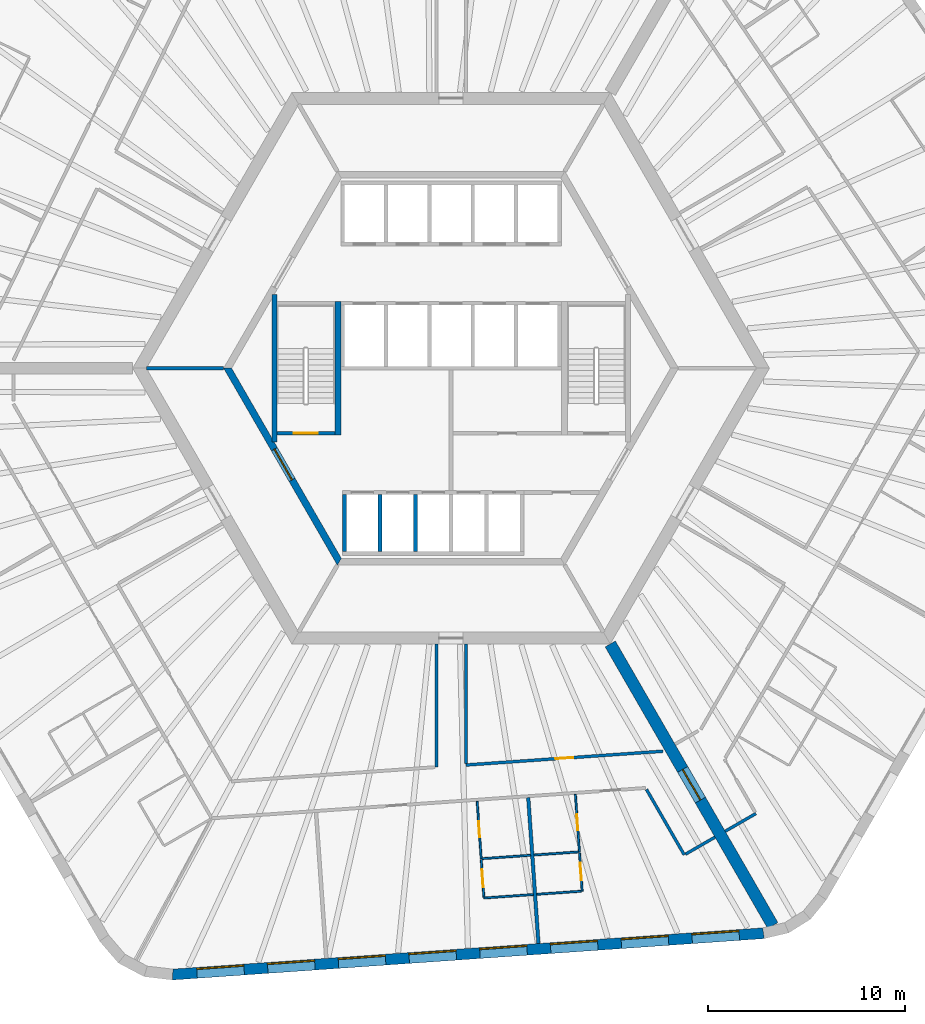
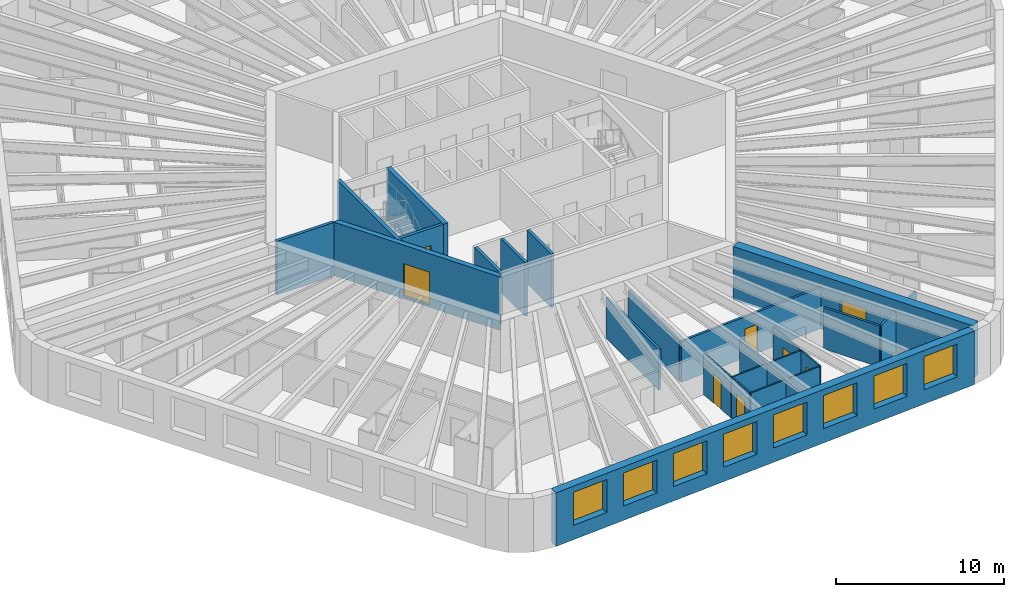
# One storey, part 4 of 11: 25 walls, 8 doors, 8 windows, 16 openings.
"""IFC4 building model written with IfcOpenShell, lengths in metres."""

from ifc_helpers import new_model, si_unit, direction, frame, frame_2d, origin, place, context, subcontext, project, spatial, polyline, rectangle, outline, extrude, material, layer, layer_set, type_object, element, fill, save


model = new_model("IFC4")

# Units and contexts
model_context = context("Model", 3, precision=1e-05, world=origin(), true_north=direction((0.0, 1.0)))
body_context = subcontext(model_context, "Body", "Model", "MODEL_VIEW")
ifc_project = project(units=[si_unit("LENGTHUNIT", "METRE"), si_unit("AREAUNIT", "SQUARE_METRE"), si_unit("VOLUMEUNIT", "CUBIC_METRE"), si_unit("PLANEANGLEUNIT", "RADIAN"), si_unit("MASSUNIT", "GRAM", prefix="KILO")], contexts=[model_context])

# Site, building, storey
site_placement = place(None, origin())
site = spatial("IfcSite", under=ifc_project, at=site_placement, CompositionType="ELEMENT")
building_placement = place(site_placement, origin())
building = spatial("IfcBuilding", under=site, at=building_placement, Name="Tarnside Tower", CompositionType="ELEMENT")
storey_placement = place(building_placement, frame((0.0, 0.0, 45.300048828125)))
storey = spatial("IfcBuildingStorey", under=building, at=storey_placement, Name="L08", CompositionType="ELEMENT", Elevation=45.300048828125)

# Wall, opening, door
ifc_material_1 = material(Name="Gypsum board partition on steel studs", Category="steel")
ifc_layer_1 = layer(ifc_material_1, 0.10009765625)
ifc_layer_set_1 = layer_set([ifc_layer_1], Name="Bathroom wall 100")
wall_type_1 = type_object("IfcWallType", Name="Bathroom wall 100", PredefinedType="PARTITIONING", material=ifc_layer_set_1)
wall_1_placement = place(storey_placement, frame((1.52978515625, -24.904052734375, 0.0), z_axis=(0.0, 0.0, 1.0), x_axis=(-0.069775971057, 0.997562686683, 0.0)))
wall_1 = element("IfcWall", 1, at=wall_1_placement, inside=storey, type_object=wall_type_1, Name="Bathroom wall 01116", PredefinedType="PARTITIONING", context=body_context, shape_type="SweptSolid", body=[
    extrude(rectangle(XDim=2.925048828125, YDim=0.10009765625, at=frame_2d((1.46240234375, 0.0))), origin(), (0.0, 0.0, 1.0), 2.98779296875),
])
opening_1_placement = place(wall_1_placement, frame((1.10009765625, 0.0, 0.0)))
opening_1 = element("IfcOpeningElement", 2, at=opening_1_placement, cuts=wall_1, Name="Opening D-B1", PredefinedType="OPENING", context=body_context, shape_type="SweptSolid", body=[
    extrude(rectangle(XDim=0.800048828125, YDim=2.10009765625, at=frame_2d((0.39990234375, 1.050048828125))), frame((0.0, 0.06005859375, 0.0), z_axis=(0.0, -1.0, 0.0), x_axis=(1.0, 0.0, 0.0)), (0.0, 0.0, 1.0), 0.1201171875),
])
ifc_material_2 = material(Name="Timber door leaf", Category="wood")
door_type_1 = type_object("IfcDoorType", Name="Bathroom door 800", OperationType="NOTDEFINED", PredefinedType="DOOR", material=ifc_material_2)
door_1_placement = place(opening_1_placement, origin())
door_1 = element("IfcDoor", 3, at=door_1_placement, inside=storey, type_object=door_type_1, Name="Bathroom door 01022", OperationType="SINGLE_SWING_LEFT", OverallHeight=2.10009765625, OverallWidth=0.800048828125, PredefinedType="DOOR", context=body_context, shape_type="SweptSolid", body=[
    extrude(rectangle(XDim=0.800048828125, YDim=2.10009765625, at=frame_2d((0.39990234375, 1.050048828125))), frame((0.0, 0.02490234375, 0.0), z_axis=(0.0, -1.0, 0.0), x_axis=(1.0, 0.0, 0.0)), (0.0, 0.0, 1.0), 0.050048828125),
])
fill(opening_1, door_1)

# Wall
wall_2_placement = place(storey_placement, frame((1.57958984375, -24.900390625, 0.0), z_axis=(0.0, 0.0, 1.0), x_axis=(0.997563389425, 0.069765923475, 0.0)))
element("IfcWall", 4, at=wall_2_placement, inside=storey, type_object=wall_type_1, Name="Bathroom wall 01120", PredefinedType="PARTITIONING", context=body_context, shape_type="SweptSolid", body=[
    extrude(rectangle(XDim=2.460205078125, YDim=0.10009765625, at=frame_2d((1.22998046875, 0.0))), origin(), (0.0, 0.0, 1.0), 2.98779296875),
])

# Wall, opening, door
wall_3_placement = place(storey_placement, frame((6.313720703125, -21.63720703125, 0.0), z_axis=(0.0, 0.0, 1.0), x_axis=(0.069692912611, -0.997568492852, 0.0)))
wall_3 = element("IfcWall", 5, at=wall_3_placement, inside=storey, type_object=wall_type_1, Name="Bathroom wall 01123", PredefinedType="PARTITIONING", context=body_context, shape_type="SweptSolid", body=[
    extrude(rectangle(XDim=2.925048828125, YDim=0.10009765625, at=frame_2d((1.46240234375, 0.0))), origin(), (0.0, 0.0, 1.0), 2.98779296875),
])
opening_2_placement = place(wall_3_placement, frame((1.02490234375, 0.0, 0.0)))
opening_2 = element("IfcOpeningElement", 6, at=opening_2_placement, cuts=wall_3, Name="Opening D-B1", PredefinedType="OPENING", context=body_context, shape_type="SweptSolid", body=[
    extrude(rectangle(XDim=0.800048828125, YDim=2.10009765625, at=frame_2d((0.39990234375, 1.050048828125))), frame((0.0, 0.06005859375, 0.0), z_axis=(0.0, -1.0, 0.0), x_axis=(1.0, 0.0, 0.0)), (0.0, 0.0, 1.0), 0.1201171875),
])
door_2_placement = place(opening_2_placement, origin())
door_2 = element("IfcDoor", 7, at=door_2_placement, inside=storey, type_object=door_type_1, Name="Bathroom door 01025", OperationType="SINGLE_SWING_RIGHT", OverallHeight=2.10009765625, OverallWidth=0.800048828125, PredefinedType="DOOR", context=body_context, shape_type="SweptSolid", body=[
    extrude(rectangle(XDim=0.800048828125, YDim=2.10009765625, at=frame_2d((0.39990234375, 1.050048828125))), frame((0.0, 0.02490234375, 0.0), z_axis=(0.0, -1.0, 0.0), x_axis=(1.0, 0.0, 0.0)), (0.0, 0.0, 1.0), 0.050048828125),
])
fill(opening_2, door_2)

# Wall
wall_4_placement = place(storey_placement, frame((4.21337890625, -24.71630859375, 0.0), z_axis=(0.0, 0.0, 1.0), x_axis=(0.997561825928, 0.069788275888, 0.0)))
element("IfcWall", 8, at=wall_4_placement, inside=storey, type_object=wall_type_1, Name="Bathroom wall 01126", PredefinedType="PARTITIONING", context=body_context, shape_type="SweptSolid", body=[
    extrude(rectangle(XDim=2.260009765625, YDim=0.10009765625, at=frame_2d((1.1298828125, 0.0))), origin(), (0.0, 0.0, 1.0), 2.98779296875),
])

# Wall, opening, door
ifc_material_3 = material(Name="Concrete C50/60", Category="concrete")
ifc_layer_2 = layer(ifc_material_3, 0.35009765625)
ifc_layer_set_2 = layer_set([ifc_layer_2], Name="Core block wall 350 C50/60")
wall_type_2 = type_object("IfcWallType", Name="Core block wall 350 C50/60", PredefinedType="SHEAR", material=ifc_layer_set_2)
wall_5_placement = place(storey_placement, frame((-11.344970703125, 0.0, -0.150146484375), z_axis=(0.0, 0.0, 1.0), x_axis=(0.499995046907, -0.866028263435, 0.0)))
wall_5 = element("IfcWall", 9, at=wall_5_placement, inside=storey, type_object=wall_type_2, Name="L08 core block wall face 3", PredefinedType="SHEAR", context=body_context, shape_type="SweptSolid", body=[
    extrude(outline(polyline([(-0.10107421875, -0.175048828125), (11.44580078125, -0.175048828125), (11.24365234375, 0.175048828125), (0.10107421875, 0.175048828125), (-0.10107421875, -0.175048828125)])), origin(), (0.0, 0.0, 1.0), 3.900146484375),
])
opening_3_placement = place(wall_5_placement, frame((4.74365234375, 0.0, 0.14990234375)))
opening_3 = element("IfcOpeningElement", 10, at=opening_3_placement, cuts=wall_5, Name="Opening CD-FFL", PredefinedType="OPENING", context=body_context, shape_type="SweptSolid", body=[
    extrude(rectangle(XDim=1.800048828125, YDim=2.39990234375, at=frame_2d((0.89990234375, 1.199951171875))), frame((0.0, 0.18505859375, 0.0), z_axis=(0.0, -1.0, 0.0), x_axis=(1.0, 0.0, 0.0)), (0.0, 0.0, 1.0), 0.3701171875),
])
ifc_material_4 = material(Name="Steel fire door", Category="steel")
door_type_2 = type_object("IfcDoorType", Name="Firefighting lobby double door FD60S 1800x2400", OperationType="NOTDEFINED", PredefinedType="DOOR", material=ifc_material_4)
door_3_placement = place(opening_3_placement, origin())
door_3 = element("IfcDoor", 11, at=door_3_placement, inside=storey, type_object=door_type_2, Name="L08 lobby block door P3", OperationType="DOUBLE_DOOR_SINGLE_SWING", OverallHeight=2.39990234375, OverallWidth=1.800048828125, PredefinedType="DOOR", context=body_context, shape_type="SweptSolid", body=[
    extrude(rectangle(XDim=1.800048828125, YDim=2.39990234375, at=frame_2d((0.89990234375, 1.199951171875))), frame((0.0, 0.02490234375, 0.0), z_axis=(0.0, -1.0, 0.0), x_axis=(1.0, 0.0, 0.0)), (0.0, 0.0, 1.0), 0.050048828125),
])
fill(opening_3, door_3)

ifc_material_5 = material(Name="Concrete C80/95", Category="concrete")
ifc_layer_3 = layer(ifc_material_5, 0.60009765625)
ifc_layer_set_3 = layer_set([ifc_layer_3], Name="Core wall Z1 600 C80/95")
wall_type_3 = type_object("IfcWallType", Name="Core wall Z1 600 C80/95", PredefinedType="SHEAR", material=ifc_layer_set_3)
wall_6_placement = place(storey_placement, frame((8.0830078125, -14.0, -0.150146484375), z_axis=(0.0, 0.0, 1.0), x_axis=(0.499997680643, -0.866026742862, 0.0)))
wall_6 = element("IfcWall", 12, at=wall_6_placement, inside=storey, type_object=wall_type_3, Name="L08 spine wall 3", PredefinedType="SHEAR", context=body_context, shape_type="SweptSolid", body=[
    extrude(rectangle(XDim=16.5087890625, YDim=0.60009765625, at=frame_2d((8.25439453125, 0.0))), origin(), (0.0, 0.0, 1.0), 3.900146484375),
])
opening_4_placement = place(wall_6_placement, frame((7.3544921875, 0.0, 0.14990234375)))
opening_4 = element("IfcOpeningElement", 13, at=opening_4_placement, cuts=wall_6, Name="Opening CD-SPN", PredefinedType="OPENING", context=body_context, shape_type="SweptSolid", body=[
    extrude(rectangle(XDim=1.800048828125, YDim=2.39990234375, at=frame_2d((0.89990234375, 1.199951171875))), frame((0.0, 0.31005859375, 0.0), z_axis=(0.0, -1.0, 0.0), x_axis=(1.0, 0.0, 0.0)), (0.0, 0.0, 1.0), 0.6201171875),
])
door_type_3 = type_object("IfcDoorType", Name="Spine passage double door FD60 1800x2400", OperationType="NOTDEFINED", PredefinedType="DOOR", material=ifc_material_4)
door_4_placement = place(opening_4_placement, origin())
door_4 = element("IfcDoor", 14, at=door_4_placement, inside=storey, type_object=door_type_3, Name="L08 spine passage door 3", OperationType="DOUBLE_DOOR_SINGLE_SWING", OverallHeight=2.39990234375, OverallWidth=1.800048828125, PredefinedType="DOOR", context=body_context, shape_type="SweptSolid", body=[
    extrude(rectangle(XDim=1.800048828125, YDim=2.39990234375, at=frame_2d((0.89990234375, 1.199951171875))), frame((0.0, 0.02490234375, 0.0), z_axis=(0.0, -1.0, 0.0), x_axis=(1.0, 0.0, 0.0)), (0.0, 0.0, 1.0), 0.050048828125),
])
fill(opening_4, door_4)

# Walls
ifc_layer_4 = layer(ifc_material_1, 0.14990234375)
ifc_layer_set_4 = layer_set([ifc_layer_4], Name="Corridor wall 150 EI 60")
wall_type_4 = type_object("IfcWallType", Name="Corridor wall 150 EI 60", PredefinedType="PARTITIONING", material=ifc_layer_set_4)
wall_7_placement = place(storey_placement, frame((9.921630859375, -21.385009765625, 0.0), z_axis=(0.0, 0.0, 1.0), x_axis=(0.500023335103, -0.866011930837, 0.0)))
element("IfcWall", 15, at=wall_7_placement, inside=storey, type_object=wall_type_4, Name="Corridor wall 01037", PredefinedType="PARTITIONING", context=body_context, shape_type="SweptSolid", body=[
    extrude(rectangle(XDim=3.839599609375, YDim=0.14990234375, at=frame_2d((1.919921875, 0.0))), origin(), (0.0, 0.0, 1.0), 2.98779296875),
])
wall_8_placement = place(storey_placement, frame((11.906494140625, -24.672607421875, 0.0), z_axis=(0.0, 0.0, 1.0), x_axis=(0.866013532718, 0.500020560727, 0.0)))
element("IfcWall", 16, at=wall_8_placement, inside=storey, type_object=wall_type_4, Name="Corridor wall 01038", PredefinedType="PARTITIONING", context=body_context, shape_type="SweptSolid", body=[
    extrude(rectangle(XDim=1.72509765625, YDim=0.14990234375, at=frame_2d((0.862548828125, 0.0))), origin(), (0.0, 0.0, 1.0), 2.98779296875),
])
wall_9_placement = place(storey_placement, frame((-0.75, -14.0, 0.0), z_axis=(0.0, 0.0, 1.0), x_axis=(0.0, -1.0, 0.0)))
element("IfcWall", 17, at=wall_9_placement, inside=storey, type_object=wall_type_4, Name="Corridor wall 01043", PredefinedType="PARTITIONING", context=body_context, shape_type="SweptSolid", body=[
    extrude(rectangle(XDim=6.251708984375, YDim=0.14990234375, at=frame_2d((3.1259765625, 0.0))), origin(), (0.0, 0.0, 1.0), 2.98779296875),
])

# Wall, opening, door
wall_10_placement = place(storey_placement, frame((10.75439453125, -19.447265625, 0.0), z_axis=(0.0, 0.0, 1.0), x_axis=(-0.997564830966, -0.069745308232, 0.0)))
wall_10 = element("IfcWall", 18, at=wall_10_placement, inside=storey, type_object=wall_type_4, Name="Corridor wall 01047", PredefinedType="PARTITIONING", context=body_context, shape_type="SweptSolid", body=[
    extrude(rectangle(XDim=10.02880859375, YDim=0.14990234375, at=frame_2d((5.014404296875, 0.0))), origin(), (0.0, 0.0, 1.0), 2.98779296875),
])
opening_5_placement = place(wall_10_placement, frame((4.564453125, 0.0, 0.0)))
opening_5 = element("IfcOpeningElement", 19, at=opening_5_placement, cuts=wall_10, Name="Opening D-S1", PredefinedType="OPENING", context=body_context, shape_type="SweptSolid", body=[
    extrude(rectangle(XDim=0.89990234375, YDim=2.10009765625, at=frame_2d((0.449951171875, 1.050048828125))), frame((0.0, 0.0849609375, 0.0), z_axis=(0.0, -1.0, 0.0), x_axis=(1.0, 0.0, 0.0)), (0.0, 0.0, 1.0), 0.169921875),
])
door_type_4 = type_object("IfcDoorType", Name="Service room door 900 FD30S", OperationType="NOTDEFINED", PredefinedType="DOOR", material=ifc_material_2)
door_5_placement = place(opening_5_placement, origin())
door_5 = element("IfcDoor", 20, at=door_5_placement, inside=storey, type_object=door_type_4, Name="Service door 01047", OperationType="SINGLE_SWING_LEFT", OverallHeight=2.10009765625, OverallWidth=0.89990234375, PredefinedType="DOOR", context=body_context, shape_type="SweptSolid", body=[
    extrude(rectangle(XDim=0.89990234375, YDim=2.10009765625, at=frame_2d((0.449951171875, 1.050048828125))), frame((0.0, 0.02490234375, 0.0), z_axis=(0.0, -1.0, 0.0), x_axis=(1.0, 0.0, 0.0)), (0.0, 0.0, 1.0), 0.050048828125),
])
fill(opening_5, door_5)

# Walls
wall_11_placement = place(storey_placement, frame((0.75, -20.071533203125, 0.0), z_axis=(0.0, 0.0, 1.0), x_axis=(0.0, 1.0, 0.0)))
element("IfcWall", 21, at=wall_11_placement, inside=storey, type_object=wall_type_4, Name="Corridor wall 01048", PredefinedType="PARTITIONING", context=body_context, shape_type="SweptSolid", body=[
    extrude(rectangle(XDim=6.071533203125, YDim=0.14990234375, at=frame_2d((3.03564453125, 0.0))), origin(), (0.0, 0.0, 1.0), 2.98779296875),
])
wall_12_placement = place(storey_placement, frame((13.919921875, -23.510009765625, 0.0), z_axis=(0.0, 0.0, 1.0), x_axis=(0.866047807691, 0.499961193289, 0.0)))
element("IfcWall", 22, at=wall_12_placement, inside=storey, type_object=wall_type_4, Name="Corridor wall 01049", PredefinedType="PARTITIONING", context=body_context, shape_type="SweptSolid", body=[
    extrude(rectangle(XDim=1.800048828125, YDim=0.14990234375, at=frame_2d((0.89990234375, 0.0))), origin(), (0.0, 0.0, 1.0), 2.98779296875),
])
ifc_layer_5 = layer(ifc_material_1, 0.179931640625)
ifc_layer_set_5 = layer_set([ifc_layer_5], Name="Demising wall 180 EI 60")
wall_type_5 = type_object("IfcWallType", Name="Demising wall 180 EI 60", PredefinedType="PARTITIONING", material=ifc_layer_set_5)
wall_13_placement = place(storey_placement, frame((4.4375, -29.211669921875, 0.0), z_axis=(0.0, 0.0, 1.0), x_axis=(-0.06977252161, 0.997562927954, 0.0)))
element("IfcWall", 23, at=wall_13_placement, inside=storey, type_object=wall_type_5, Name="Demising wall 01119", PredefinedType="PARTITIONING", context=body_context, shape_type="SweptSolid", body=[
    extrude(rectangle(XDim=7.425048828125, YDim=0.179931640625, at=frame_2d((3.71240234375, 0.0))), origin(), (0.0, 0.0, 1.0), 2.98779296875),
])
ifc_material_6 = material(Name="Concrete C40/50", Category="concrete")
ifc_layer_6 = layer(ifc_material_6, 0.199951171875)
ifc_layer_set_6 = layer_set([ifc_layer_6], Name="Lift shaft wall 200 C40/50")
wall_type_6 = type_object("IfcWallType", Name="Lift shaft wall 200 C40/50", PredefinedType="SHEAR", material=ifc_layer_set_6)
for number, where, z_axis, x_axis, name in (
    (24, (-5.39990234375, -9.300048828125, -0.25), (0.0, 0.0, 1.0), (0.0, 1.0, 0.0), "L08 lift shaft partition R41"),
    (25, (-3.60009765625, -9.300048828125, -0.25), (0.0, 0.0, 1.0), (0.0, 1.0, 0.0), "L08 lift shaft partition R42"),
    (26, (-1.800048828125, -9.300048828125, -0.25), (0.0, 0.0, 1.0), (0.0, 1.0, 0.0), "L08 lift shaft partition R43"),
):
    element("IfcWall", number, at=place(storey_placement, frame(where, z_axis=z_axis, x_axis=x_axis)), inside=storey, type_object=wall_type_6, Name=name, PredefinedType="SHEAR", context=body_context, shape_type="SweptSolid", body=[
        extrude(rectangle(XDim=2.900146484375, YDim=0.199951171875, at=frame_2d((1.4501953125, 0.0))), origin(), (0.0, 0.0, 1.0), 3.89990234375),
    ])
wall_14_placement = place(storey_placement, frame((-11.547119140625, 0.0, -0.150146484375), z_axis=(0.0, 0.0, 1.0), x_axis=(-1.0, 0.0, 0.0)))
element("IfcWall", 27, at=wall_14_placement, inside=storey, type_object=wall_type_6, Name="L08 core partition AR180", PredefinedType="SHEAR", context=body_context, shape_type="SweptSolid", body=[
    extrude(rectangle(XDim=3.92578125, YDim=0.199951171875, at=frame_2d((1.962890625, 0.0))), origin(), (0.0, 0.0, 1.0), 3.900146484375),
])

# Wall, opening, door
wall_15_placement = place(storey_placement, frame((-8.85009765625, -3.300048828125, -0.25), z_axis=(0.0, 0.0, 1.0), x_axis=(1.0, 0.0, 0.0)))
wall_15 = element("IfcWall", 28, at=wall_15_placement, inside=storey, type_object=wall_type_6, Name="L08 stair 2 enclosure cap wall s", PredefinedType="SHEAR", context=body_context, shape_type="SweptSolid", body=[
    extrude(rectangle(XDim=2.9501953125, YDim=0.199951171875, at=frame_2d((1.47509765625, 0.0))), origin(), (0.0, 0.0, 1.0), 3.89990234375),
])
opening_6_placement = place(wall_15_placement, frame((0.875, 0.0, 0.25)))
opening_6 = element("IfcOpeningElement", 29, at=opening_6_placement, cuts=wall_15, Name="Opening CD-STR", PredefinedType="OPENING", context=body_context, shape_type="SweptSolid", body=[
    extrude(rectangle(XDim=1.199951171875, YDim=2.39990234375, at=frame_2d((0.60009765625, 1.199951171875))), frame((0.0, 0.10986328125, 0.0), z_axis=(0.0, -1.0, 0.0), x_axis=(1.0, 0.0, 0.0)), (0.0, 0.0, 1.0), 0.219970703125),
])
door_type_5 = type_object("IfcDoorType", Name="Stair door FD60S 1200x2400", OperationType="NOTDEFINED", PredefinedType="DOOR", material=ifc_material_4)
door_6_placement = place(opening_6_placement, origin())
door_6 = element("IfcDoor", 30, at=door_6_placement, inside=storey, type_object=door_type_5, Name="L08 stair 2 door", OperationType="SINGLE_SWING_LEFT", OverallHeight=2.39990234375, OverallWidth=1.199951171875, PredefinedType="DOOR", context=body_context, shape_type="SweptSolid", body=[
    extrude(rectangle(XDim=1.199951171875, YDim=2.39990234375, at=frame_2d((0.60009765625, 1.199951171875))), frame((0.0, 0.02490234375, 0.0), z_axis=(0.0, -1.0, 0.0), x_axis=(1.0, 0.0, 0.0)), (0.0, 0.0, 1.0), 0.050048828125),
])
fill(opening_6, door_6)

# Wall
ifc_layer_7 = layer(ifc_material_1, 0.10009765625)
ifc_layer_set_7 = layer_set([ifc_layer_7], Name="Partition 100")
wall_type_7 = type_object("IfcWallType", Name="Partition 100", PredefinedType="PARTITIONING", material=ifc_layer_set_7)
wall_16_placement = place(storey_placement, frame((4.17333984375, -26.723876953125, 0.0), z_axis=(0.0, 0.0, 1.0), x_axis=(-0.997558425079, -0.069836871022, 0.0)))
element("IfcWall", 31, at=wall_16_placement, inside=storey, type_object=wall_type_7, Name="Partition wall 01117", PredefinedType="PARTITIONING", context=body_context, shape_type="SweptSolid", body=[
    extrude(rectangle(XDim=2.510009765625, YDim=0.10009765625, at=frame_2d((1.2548828125, 0.0))), origin(), (0.0, 0.0, 1.0), 2.98779296875),
])

# Wall, opening, door
wall_17_placement = place(storey_placement, frame((1.665771484375, -26.84912109375, 0.0), z_axis=(0.0, 0.0, 1.0), x_axis=(-0.069776698601, 0.997562635794, 0.0)))
wall_17 = element("IfcWall", 32, at=wall_17_placement, inside=storey, type_object=wall_type_7, Name="Partition wall 01118", PredefinedType="PARTITIONING", context=body_context, shape_type="SweptSolid", body=[
    extrude(rectangle(XDim=1.89990234375, YDim=0.10009765625, at=frame_2d((0.949951171875, 0.0))), origin(), (0.0, 0.0, 1.0), 2.98779296875),
])
opening_7_placement = place(wall_17_placement, frame((0.5, 0.0, 0.0)))
opening_7 = element("IfcOpeningElement", 33, at=opening_7_placement, cuts=wall_17, Name="Opening D-I1", PredefinedType="OPENING", context=body_context, shape_type="SweptSolid", body=[
    extrude(rectangle(XDim=0.89990234375, YDim=2.10009765625, at=frame_2d((0.449951171875, 1.050048828125))), frame((0.0, 0.06005859375, 0.0), z_axis=(0.0, -1.0, 0.0), x_axis=(1.0, 0.0, 0.0)), (0.0, 0.0, 1.0), 0.1201171875),
])
door_type_6 = type_object("IfcDoorType", Name="Internal door 900", OperationType="NOTDEFINED", PredefinedType="DOOR", material=ifc_material_2)
door_7_placement = place(opening_7_placement, origin())
door_7 = element("IfcDoor", 34, at=door_7_placement, inside=storey, type_object=door_type_6, Name="Internal door 01023", OperationType="SINGLE_SWING_RIGHT", OverallHeight=2.10009765625, OverallWidth=0.89990234375, PredefinedType="DOOR", context=body_context, shape_type="SweptSolid", body=[
    extrude(rectangle(XDim=0.89990234375, YDim=2.10009765625, at=frame_2d((0.449951171875, 1.050048828125))), frame((0.0, 0.02490234375, 0.0), z_axis=(0.0, -1.0, 0.0), x_axis=(1.0, 0.0, 0.0)), (0.0, 0.0, 1.0), 0.050048828125),
])
fill(opening_7, door_7)

wall_18_placement = place(storey_placement, frame((6.521240234375, -24.60498046875, 0.0), z_axis=(0.0, 0.0, 1.0), x_axis=(0.069734442015, -0.997565590624, 0.0)))
wall_18 = element("IfcWall", 35, at=wall_18_placement, inside=storey, type_object=wall_type_7, Name="Partition wall 01124", PredefinedType="PARTITIONING", context=body_context, shape_type="SweptSolid", body=[
    extrude(rectangle(XDim=1.949951171875, YDim=0.10009765625, at=frame_2d((0.97509765625, 0.0))), origin(), (0.0, 0.0, 1.0), 2.98779296875),
])
opening_8_placement = place(wall_18_placement, frame((0.5, 0.0, 0.0)))
opening_8 = element("IfcOpeningElement", 36, at=opening_8_placement, cuts=wall_18, Name="Opening D-I1", PredefinedType="OPENING", context=body_context, shape_type="SweptSolid", body=[
    extrude(rectangle(XDim=0.89990234375, YDim=2.10009765625, at=frame_2d((0.449951171875, 1.050048828125))), frame((0.0, 0.06005859375, 0.0), z_axis=(0.0, -1.0, 0.0), x_axis=(1.0, 0.0, 0.0)), (0.0, 0.0, 1.0), 0.1201171875),
])
door_8_placement = place(opening_8_placement, origin())
door_8 = element("IfcDoor", 37, at=door_8_placement, inside=storey, type_object=door_type_6, Name="Internal door 01026", OperationType="SINGLE_SWING_RIGHT", OverallHeight=2.10009765625, OverallWidth=0.89990234375, PredefinedType="DOOR", context=body_context, shape_type="SweptSolid", body=[
    extrude(rectangle(XDim=0.89990234375, YDim=2.10009765625, at=frame_2d((0.449951171875, 1.050048828125))), frame((0.0, 0.02490234375, 0.0), z_axis=(0.0, -1.0, 0.0), x_axis=(1.0, 0.0, 0.0)), (0.0, 0.0, 1.0), 0.050048828125),
])
fill(opening_8, door_8)

# Walls
wall_19_placement = place(storey_placement, frame((6.607177734375, -26.5537109375, 0.0), z_axis=(0.0, 0.0, 1.0), x_axis=(-0.997561825928, -0.069788275888, 0.0)))
element("IfcWall", 38, at=wall_19_placement, inside=storey, type_object=wall_type_7, Name="Partition wall 01125", PredefinedType="PARTITIONING", context=body_context, shape_type="SweptSolid", body=[
    extrude(rectangle(XDim=2.260009765625, YDim=0.10009765625, at=frame_2d((1.1298828125, 0.0))), origin(), (0.0, 0.0, 1.0), 2.98779296875),
])
ifc_layer_8 = layer(ifc_material_6, 0.25)
ifc_layer_set_8 = layer_set([ifc_layer_8], Name="Stair enclosure wall 250 C40/50")
wall_type_8 = type_object("IfcWallType", Name="Stair enclosure wall 250 C40/50", PredefinedType="SHEAR", material=ifc_layer_set_8)
wall_20_placement = place(storey_placement, frame((-8.97509765625, -3.7548828125, -0.25), z_axis=(0.0, 0.0, 1.0), x_axis=(0.0, 1.0, 0.0)))
element("IfcWall", 39, at=wall_20_placement, inside=storey, type_object=wall_type_8, Name="L08 stair 2 enclosure wall outer", PredefinedType="SHEAR", context=body_context, shape_type="SweptSolid", body=[
    extrude(rectangle(XDim=7.509765625, YDim=0.25, at=frame_2d((3.7548828125, 0.0))), origin(), (0.0, 0.0, 1.0), 3.89990234375),
])
ifc_layer_9 = layer(ifc_material_6, 0.300048828125)
ifc_layer_set_9 = layer_set([ifc_layer_9], Name="Stair enclosure wall 300 C40/50")
wall_type_9 = type_object("IfcWallType", Name="Stair enclosure wall 300 C40/50", PredefinedType="SHEAR", material=ifc_layer_set_9)
wall_21_placement = place(storey_placement, frame((-5.75, -3.39990234375, -0.25), z_axis=(0.0, 0.0, 1.0), x_axis=(0.0, 1.0, 0.0)))
element("IfcWall", 40, at=wall_21_placement, inside=storey, type_object=wall_type_9, Name="L08 stair 2 enclosure wall inner", PredefinedType="SHEAR", context=body_context, shape_type="SweptSolid", body=[
    extrude(rectangle(XDim=6.7998046875, YDim=0.300048828125, at=frame_2d((3.39990234375, 0.0))), origin(), (0.0, 0.0, 1.0), 3.89990234375),
])

# Wall, openings, windows
ifc_material_7 = material(Name="Facing brick", Category="masonry")
ifc_layer_10 = layer(ifc_material_7, 0.10205078125)
ifc_material_8 = material(Name="Concrete C60/75 precast", Category="concrete")
ifc_layer_11 = layer(ifc_material_8, 0.347900390625)
ifc_material_9 = material(Name="Mineral wool insulation")
ifc_layer_12 = layer(ifc_material_9, 0.10009765625)
ifc_layer_set_10 = layer_set([ifc_layer_10, ifc_layer_11, ifc_layer_12], Name="Tube wall 550 brick faced")
wall_type_10 = type_object("IfcWallType", Name="Tube wall 550 brick faced", PredefinedType="SOLIDWALL", material=ifc_layer_set_10)
wall_22_placement = place(storey_placement, frame((-14.133544921875, -30.785888671875, -0.150146484375), z_axis=(0.0, 0.0, 1.0), x_axis=(0.997564037441, 0.069756657061, 0.0)))
wall_22 = element("IfcWall", 41, at=wall_22_placement, inside=storey, type_object=wall_type_10, Name="Tube wall L08 F4 flush 12", PredefinedType="SOLIDWALL", context=body_context, shape_type="SweptSolid", body=[
    extrude(outline(polyline([(-0.025634765625, -0.27490234375), (30.093505859375, -0.27490234375), (30.048583984375, 0.27490234375), (0.025634765625, 0.27490234375), (-0.025634765625, -0.27490234375)])), origin(), (0.0, 0.0, 1.0), 3.900146484375),
])
opening_9_placement = place(wall_22_placement, frame((1.235595703125, 0.0, 1.050048828125)))
opening_9 = element("IfcOpeningElement", 42, at=opening_9_placement, cuts=wall_22, Name="Opening WH", PredefinedType="OPENING", context=body_context, shape_type="SweptSolid", body=[
    extrude(rectangle(XDim=2.39990234375, YDim=2.39990234375, at=frame_2d((1.199951171875, 1.199951171875))), frame((0.0, 0.28515625, 0.0), z_axis=(0.0, -1.0, 0.0), x_axis=(1.0, 0.0, 0.0)), (0.0, 0.0, 1.0), 0.570068359375),
])
opening_10_placement = place(wall_22_placement, frame((4.83544921875, 0.0, 1.050048828125)))
opening_10 = element("IfcOpeningElement", 43, at=opening_10_placement, cuts=wall_22, Name="Opening WH", PredefinedType="OPENING", context=body_context, shape_type="SweptSolid", body=[
    extrude(rectangle(XDim=2.39990234375, YDim=2.39990234375, at=frame_2d((1.199951171875, 1.199951171875))), frame((0.0, 0.28515625, 0.0), z_axis=(0.0, -1.0, 0.0), x_axis=(1.0, 0.0, 0.0)), (0.0, 0.0, 1.0), 0.570068359375),
])
opening_11_placement = place(wall_22_placement, frame((8.435546875, 0.0, 1.050048828125)))
opening_11 = element("IfcOpeningElement", 44, at=opening_11_placement, cuts=wall_22, Name="Opening WH", PredefinedType="OPENING", context=body_context, shape_type="SweptSolid", body=[
    extrude(rectangle(XDim=2.39990234375, YDim=2.39990234375, at=frame_2d((1.199951171875, 1.199951171875))), frame((0.0, 0.28515625, 0.0), z_axis=(0.0, -1.0, 0.0), x_axis=(1.0, 0.0, 0.0)), (0.0, 0.0, 1.0), 0.570068359375),
])
opening_12_placement = place(wall_22_placement, frame((12.035400390625, 0.0, 1.050048828125)))
opening_12 = element("IfcOpeningElement", 45, at=opening_12_placement, cuts=wall_22, Name="Opening WH", PredefinedType="OPENING", context=body_context, shape_type="SweptSolid", body=[
    extrude(rectangle(XDim=2.39990234375, YDim=2.39990234375, at=frame_2d((1.199951171875, 1.199951171875))), frame((0.0, 0.28515625, 0.0), z_axis=(0.0, -1.0, 0.0), x_axis=(1.0, 0.0, 0.0)), (0.0, 0.0, 1.0), 0.570068359375),
])
opening_13_placement = place(wall_22_placement, frame((15.635498046875, 0.0, 1.050048828125)))
opening_13 = element("IfcOpeningElement", 46, at=opening_13_placement, cuts=wall_22, Name="Opening WH", PredefinedType="OPENING", context=body_context, shape_type="SweptSolid", body=[
    extrude(rectangle(XDim=2.39990234375, YDim=2.39990234375, at=frame_2d((1.199951171875, 1.199951171875))), frame((0.0, 0.28515625, 0.0), z_axis=(0.0, -1.0, 0.0), x_axis=(1.0, 0.0, 0.0)), (0.0, 0.0, 1.0), 0.570068359375),
])
opening_14_placement = place(wall_22_placement, frame((19.235595703125, 0.0, 1.050048828125)))
opening_14 = element("IfcOpeningElement", 47, at=opening_14_placement, cuts=wall_22, Name="Opening WH", PredefinedType="OPENING", context=body_context, shape_type="SweptSolid", body=[
    extrude(rectangle(XDim=2.39990234375, YDim=2.39990234375, at=frame_2d((1.199951171875, 1.199951171875))), frame((0.0, 0.28515625, 0.0), z_axis=(0.0, -1.0, 0.0), x_axis=(1.0, 0.0, 0.0)), (0.0, 0.0, 1.0), 0.570068359375),
])
opening_15_placement = place(wall_22_placement, frame((22.83544921875, 0.0, 1.050048828125)))
opening_15 = element("IfcOpeningElement", 48, at=opening_15_placement, cuts=wall_22, Name="Opening WH", PredefinedType="OPENING", context=body_context, shape_type="SweptSolid", body=[
    extrude(rectangle(XDim=2.39990234375, YDim=2.39990234375, at=frame_2d((1.199951171875, 1.199951171875))), frame((0.0, 0.28515625, 0.0), z_axis=(0.0, -1.0, 0.0), x_axis=(1.0, 0.0, 0.0)), (0.0, 0.0, 1.0), 0.570068359375),
])
opening_16_placement = place(wall_22_placement, frame((26.435546875, 0.0, 1.050048828125)))
opening_16 = element("IfcOpeningElement", 49, at=opening_16_placement, cuts=wall_22, Name="Opening WH", PredefinedType="OPENING", context=body_context, shape_type="SweptSolid", body=[
    extrude(rectangle(XDim=2.39990234375, YDim=2.39990234375, at=frame_2d((1.199951171875, 1.199951171875))), frame((0.0, 0.28515625, 0.0), z_axis=(0.0, -1.0, 0.0), x_axis=(1.0, 0.0, 0.0)), (0.0, 0.0, 1.0), 0.570068359375),
])
ifc_material_10 = material(Name="Aluminium-framed double glazing", Category="aluminium")
window_type = type_object("IfcWindowType", Name="Hotel window 2400 x 2400", PartitioningType="DOUBLE_PANEL_VERTICAL", PredefinedType="WINDOW", material=ifc_material_10)
window_1_placement = place(opening_9_placement, frame((0.0, 0.205078125, 0.0)))
window_1 = element("IfcWindow", 50, at=window_1_placement, inside=storey, type_object=window_type, Name="E.WN.L08.F4.00", OverallHeight=2.39990234375, OverallWidth=2.39990234375, PartitioningType="DOUBLE_PANEL_VERTICAL", PredefinedType="WINDOW", context=body_context, shape_type="SweptSolid", body=[
    extrude(rectangle(XDim=2.39990234375, YDim=2.39990234375, at=frame_2d((1.199951171875, 1.199951171875))), frame((0.0, 0.030029296875, 0.0), z_axis=(0.0, -1.0, 0.0), x_axis=(1.0, 0.0, 0.0)), (0.0, 0.0, 1.0), 0.06005859375),
])
fill(opening_9, window_1)
window_2_placement = place(opening_10_placement, frame((0.0, 0.205078125, 0.0)))
window_2 = element("IfcWindow", 51, at=window_2_placement, inside=storey, type_object=window_type, Name="E.WN.L08.F4.01", OverallHeight=2.39990234375, OverallWidth=2.39990234375, PartitioningType="DOUBLE_PANEL_VERTICAL", PredefinedType="WINDOW", context=body_context, shape_type="SweptSolid", body=[
    extrude(rectangle(XDim=2.39990234375, YDim=2.39990234375, at=frame_2d((1.199951171875, 1.199951171875))), frame((0.0, 0.030029296875, 0.0), z_axis=(0.0, -1.0, 0.0), x_axis=(1.0, 0.0, 0.0)), (0.0, 0.0, 1.0), 0.06005859375),
])
fill(opening_10, window_2)
window_3_placement = place(opening_11_placement, frame((0.0, 0.205078125, 0.0)))
window_3 = element("IfcWindow", 52, at=window_3_placement, inside=storey, type_object=window_type, Name="E.WN.L08.F4.02", OverallHeight=2.39990234375, OverallWidth=2.39990234375, PartitioningType="DOUBLE_PANEL_VERTICAL", PredefinedType="WINDOW", context=body_context, shape_type="SweptSolid", body=[
    extrude(rectangle(XDim=2.39990234375, YDim=2.39990234375, at=frame_2d((1.199951171875, 1.199951171875))), frame((0.0, 0.030029296875, 0.0), z_axis=(0.0, -1.0, 0.0), x_axis=(1.0, 0.0, 0.0)), (0.0, 0.0, 1.0), 0.06005859375),
])
fill(opening_11, window_3)
window_4_placement = place(opening_12_placement, frame((0.0, 0.205078125, 0.0)))
window_4 = element("IfcWindow", 53, at=window_4_placement, inside=storey, type_object=window_type, Name="E.WN.L08.F4.03", OverallHeight=2.39990234375, OverallWidth=2.39990234375, PartitioningType="DOUBLE_PANEL_VERTICAL", PredefinedType="WINDOW", context=body_context, shape_type="SweptSolid", body=[
    extrude(rectangle(XDim=2.39990234375, YDim=2.39990234375, at=frame_2d((1.199951171875, 1.199951171875))), frame((0.0, 0.030029296875, 0.0), z_axis=(0.0, -1.0, 0.0), x_axis=(1.0, 0.0, 0.0)), (0.0, 0.0, 1.0), 0.06005859375),
])
fill(opening_12, window_4)
window_5_placement = place(opening_13_placement, frame((0.0, 0.205078125, 0.0)))
window_5 = element("IfcWindow", 54, at=window_5_placement, inside=storey, type_object=window_type, Name="E.WN.L08.F4.04", OverallHeight=2.39990234375, OverallWidth=2.39990234375, PartitioningType="DOUBLE_PANEL_VERTICAL", PredefinedType="WINDOW", context=body_context, shape_type="SweptSolid", body=[
    extrude(rectangle(XDim=2.39990234375, YDim=2.39990234375, at=frame_2d((1.199951171875, 1.199951171875))), frame((0.0, 0.030029296875, 0.0), z_axis=(0.0, -1.0, 0.0), x_axis=(1.0, 0.0, 0.0)), (0.0, 0.0, 1.0), 0.06005859375),
])
fill(opening_13, window_5)
window_6_placement = place(opening_14_placement, frame((0.0, 0.205078125, 0.0)))
window_6 = element("IfcWindow", 55, at=window_6_placement, inside=storey, type_object=window_type, Name="E.WN.L08.F4.05", OverallHeight=2.39990234375, OverallWidth=2.39990234375, PartitioningType="DOUBLE_PANEL_VERTICAL", PredefinedType="WINDOW", context=body_context, shape_type="SweptSolid", body=[
    extrude(rectangle(XDim=2.39990234375, YDim=2.39990234375, at=frame_2d((1.199951171875, 1.199951171875))), frame((0.0, 0.030029296875, 0.0), z_axis=(0.0, -1.0, 0.0), x_axis=(1.0, 0.0, 0.0)), (0.0, 0.0, 1.0), 0.06005859375),
])
fill(opening_14, window_6)
window_7_placement = place(opening_15_placement, frame((0.0, 0.205078125, 0.0)))
window_7 = element("IfcWindow", 56, at=window_7_placement, inside=storey, type_object=window_type, Name="E.WN.L08.F4.06", OverallHeight=2.39990234375, OverallWidth=2.39990234375, PartitioningType="DOUBLE_PANEL_VERTICAL", PredefinedType="WINDOW", context=body_context, shape_type="SweptSolid", body=[
    extrude(rectangle(XDim=2.39990234375, YDim=2.39990234375, at=frame_2d((1.199951171875, 1.199951171875))), frame((0.0, 0.030029296875, 0.0), z_axis=(0.0, -1.0, 0.0), x_axis=(1.0, 0.0, 0.0)), (0.0, 0.0, 1.0), 0.06005859375),
])
fill(opening_15, window_7)
window_8_placement = place(opening_16_placement, frame((0.0, 0.205078125, 0.0)))
window_8 = element("IfcWindow", 57, at=window_8_placement, inside=storey, type_object=window_type, Name="E.WN.L08.F4.07", OverallHeight=2.39990234375, OverallWidth=2.39990234375, PartitioningType="DOUBLE_PANEL_VERTICAL", PredefinedType="WINDOW", context=body_context, shape_type="SweptSolid", body=[
    extrude(rectangle(XDim=2.39990234375, YDim=2.39990234375, at=frame_2d((1.199951171875, 1.199951171875))), frame((0.0, 0.030029296875, 0.0), z_axis=(0.0, -1.0, 0.0), x_axis=(1.0, 0.0, 0.0)), (0.0, 0.0, 1.0), 0.06005859375),
])
fill(opening_16, window_8)

save(model, "model.ifc")
